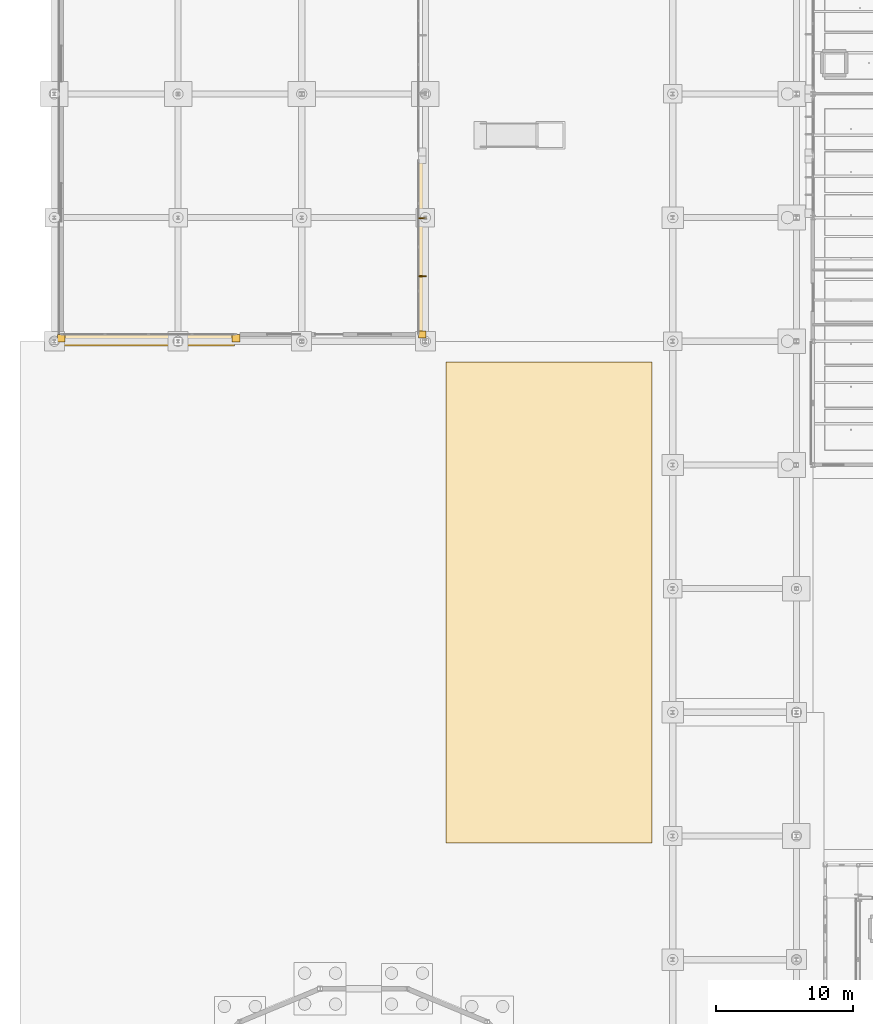
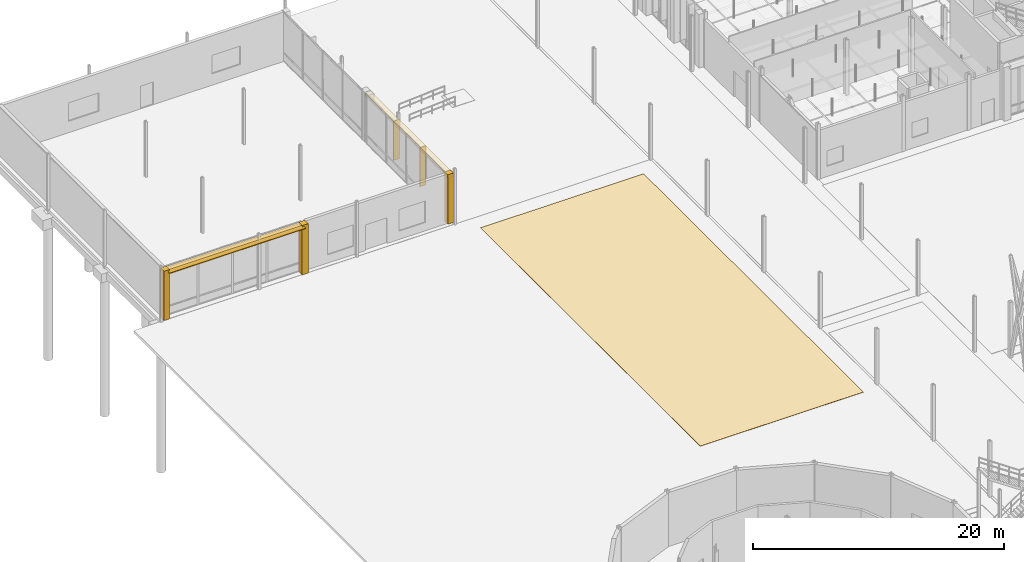
# One storey, part 169 of 180: 6 coverings, 3 shading devices.
"""IFC4 building model written with IfcOpenShell, lengths in metres."""

from ifc_helpers import new_model, si_unit, direction, frame, origin, origin_2d, place, context, subcontext, project, spatial, rectangle, extrude, material, layer, layer_set, type_object, element, save


model = new_model("IFC4")

# Units and contexts
model_context = context("Model", 3, precision=1e-05, world=origin(), true_north=direction((0.0, 1.0)))
body_context = subcontext(model_context, "Body", "Model", "MODEL_VIEW")
ifc_project = project(units=[si_unit("LENGTHUNIT", "METRE"), si_unit("AREAUNIT", "SQUARE_METRE"), si_unit("VOLUMEUNIT", "CUBIC_METRE"), si_unit("PLANEANGLEUNIT", "RADIAN"), si_unit("MASSUNIT", "GRAM", prefix="KILO"), si_unit("THERMODYNAMICTEMPERATUREUNIT", "KELVIN"), si_unit("POWERUNIT", "WATT")], contexts=[model_context])

# Site, building, storey
site_placement = place(None, origin())
site = spatial("IfcSite", under=ifc_project, at=site_placement, CompositionType="ELEMENT")
building_placement = place(site_placement, origin())
building = spatial("IfcBuilding", under=site, at=building_placement, Name="Tallowbark Science Centre", CompositionType="ELEMENT")
storey_placement = place(building_placement, origin())
storey = spatial("IfcBuildingStorey", under=building, at=storey_placement, Name="L00", CompositionType="ELEMENT", Elevation=0.0)

# Coverings
ifc_material_1 = material(Name="White Architectural Precast Concrete Grade N40 (40 MPa)", Category="concrete")
ifc_layer_1 = layer(ifc_material_1, 0.1201171875)
ifc_layer_set_1 = layer_set([ifc_layer_1], Name="White Architectural Precast Concrete Grade N40 (40 MPa)")
covering_type_1 = type_object("IfcCoveringType", Name="COV-PRC-CLAD", PredefinedType="CLADDING", material=ifc_layer_set_1)
covering_1_placement = place(storey_placement, frame((0.5, 81.219970703125, 0.0), z_axis=(0.0, 0.0, 1.0), x_axis=(1.0, 0.0, 0.0)))
element("IfcCovering", 1, at=covering_1_placement, inside=storey, type_object=covering_type_1, Name="Postmodern Deep Precast Pier CW-L00-200-1", PredefinedType="CLADDING", context=body_context, shape_type="SweptSolid", body=[
    extrude(rectangle(XDim=0.52001953125, YDim=0.56005859375, at=origin_2d()), origin(), (0.0, 0.0, 1.0), 4.800048828125),
])
covering_2_placement = place(storey_placement, frame((13.219970703125, 81.219970703125, 0.0), z_axis=(0.0, 0.0, 1.0), x_axis=(1.0, 0.0, 0.0)))
element("IfcCovering", 2, at=covering_2_placement, inside=storey, type_object=covering_type_1, Name="Postmodern Deep Precast Pier CW-L00-200-2", PredefinedType="CLADDING", context=body_context, shape_type="SweptSolid", body=[
    extrude(rectangle(XDim=0.56005859375, YDim=0.56005859375, at=origin_2d()), origin(), (0.0, 0.0, 1.0), 4.800048828125),
])
covering_3_placement = place(storey_placement, frame((26.780029296875, 81.5, 0.0), z_axis=(0.0, 0.0, 1.0), x_axis=(0.0, 1.0, 0.0)))
element("IfcCovering", 3, at=covering_3_placement, inside=storey, type_object=covering_type_1, Name="Postmodern Deep Precast Pier CW-L00-201-1", PredefinedType="CLADDING", context=body_context, shape_type="SweptSolid", body=[
    extrude(rectangle(XDim=0.52001953125, YDim=0.56005859375, at=origin_2d()), origin(), (0.0, 0.0, 1.0), 4.800048828125),
])
ifc_material_2 = material(Name="Honed Hawkesbury Sandstone Civic Paving", Category="masonry")
ifc_layer_2 = layer(ifc_material_2, 0.0400390625)
ifc_layer_set_2 = layer_set([ifc_layer_2], Name="Honed Hawkesbury Sandstone Civic Paving")
covering_type_2 = type_object("IfcCoveringType", Name="COV-STN-PAV", PredefinedType="FLOORING", material=ifc_layer_set_2)
covering_4_placement = place(storey_placement, frame((36.0, 62.0, 0.0), z_axis=(0.0, 0.0, 1.0), x_axis=(1.0, 0.0, 0.0)))
element("IfcCovering", 4, at=covering_4_placement, inside=storey, type_object=covering_type_2, Name="Hawkesbury Sandstone Paving PAV-PARK-PATH", PredefinedType="FLOORING", context=body_context, shape_type="SweptSolid", body=[
    extrude(rectangle(XDim=15.0, YDim=35.0, at=origin_2d()), origin(), (0.0, 0.0, 1.0), 0.02001953125),
])
ifc_material_3 = material(Name="Vitrified Ochre Terracotta Architectural Rainscreen", Category="masonry")
ifc_layer_3 = layer(ifc_material_3, 0.0380859375)
ifc_layer_set_3 = layer_set([ifc_layer_3], Name="Vitrified Ochre Terracotta Architectural Rainscreen")
covering_type_3 = type_object("IfcCoveringType", Name="COV-TER-CLAD", PredefinedType="CLADDING", material=ifc_layer_set_3)
for number, where, z_axis, x_axis, name in (
    (5, (6.85009765625, 81.239990234375, 4.4501953125), (0.0, 0.0, 1.0), (1.0, 0.0, 0.0), "Postmodern Terracotta Cornice Band CW-L00-200"),
    (6, (26.760009765625, 87.85009765625, 4.4501953125), (0.0, 0.0, 1.0), (0.0, 1.0, 0.0), "Postmodern Terracotta Cornice Band CW-L00-201"),
):
    element("IfcCovering", number, at=place(storey_placement, frame(where, z_axis=z_axis, x_axis=x_axis)), inside=storey, type_object=covering_type_3, Name=name, PredefinedType="CLADDING", context=body_context, shape_type="SweptSolid", body=[
        extrude(rectangle(XDim=13.10009765625, YDim=0.52001953125, at=origin_2d()), origin(), (0.0, 0.0, 1.0), 0.340087890625),
    ])

# Shading devices
ifc_material_4 = material(Name="Sandstone-Finished Architectural Aluminium Solar Fin", Category="masonry")
shading_device_type_1 = type_object("IfcShadingDeviceType", Name="SHD-FIN-400", PredefinedType="JALOUSIE", material=ifc_material_4)
for number, where, z_axis, x_axis, name in (
    (7, (26.780029296875, 85.7333984375, 0.9248046875), (0.0, 0.0, 1.0), (0.0, 1.0, 0.0), "Vertical Solar Fin CW-L00-201-1"),
    (8, (26.780029296875, 89.966552734375, 0.9248046875), (0.0, 0.0, 1.0), (0.0, 1.0, 0.0), "Vertical Solar Fin CW-L00-201-2"),
):
    element("IfcShadingDevice", number, at=place(storey_placement, frame(where, z_axis=z_axis, x_axis=x_axis)), inside=storey, type_object=shading_device_type_1, Name=name, PredefinedType="JALOUSIE", context=body_context, shape_type="SweptSolid", body=[
        extrude(rectangle(XDim=0.074951171875, YDim=0.550048828125, at=origin_2d()), origin(), (0.0, 0.0, 1.0), 3.800048828125),
    ])
ifc_material_5 = material(Name="Terracotta-Anodised Extruded Aluminium Sunshade Blade", Category="masonry")
ifc_layer_4 = layer(ifc_material_5, 0.054931640625)
ifc_layer_set_4 = layer_set([ifc_layer_4], Name="Terracotta-Anodised Extruded Aluminium Sunshade Blade")
shading_device_type_2 = type_object("IfcShadingDeviceType", Name="SHD-LVR-300", PredefinedType="AWNING", material=ifc_layer_set_4)
shading_device_placement = place(storey_placement, frame((6.85009765625, 81.080078125, 4.6123046875), z_axis=(0.0, 0.0, 1.0), x_axis=(1.0, 0.0, 0.0)))
element("IfcShadingDevice", 9, at=shading_device_placement, inside=storey, type_object=shading_device_type_2, Name="Horizontal Solar Louvre Hood CW-L00-200", PredefinedType="AWNING", context=body_context, shape_type="SweptSolid", body=[
    extrude(rectangle(XDim=12.5, YDim=0.840087890625, at=origin_2d()), origin(), (0.0, 0.0, 1.0), 0.054931640625),
])

save(model, "model.ifc")
